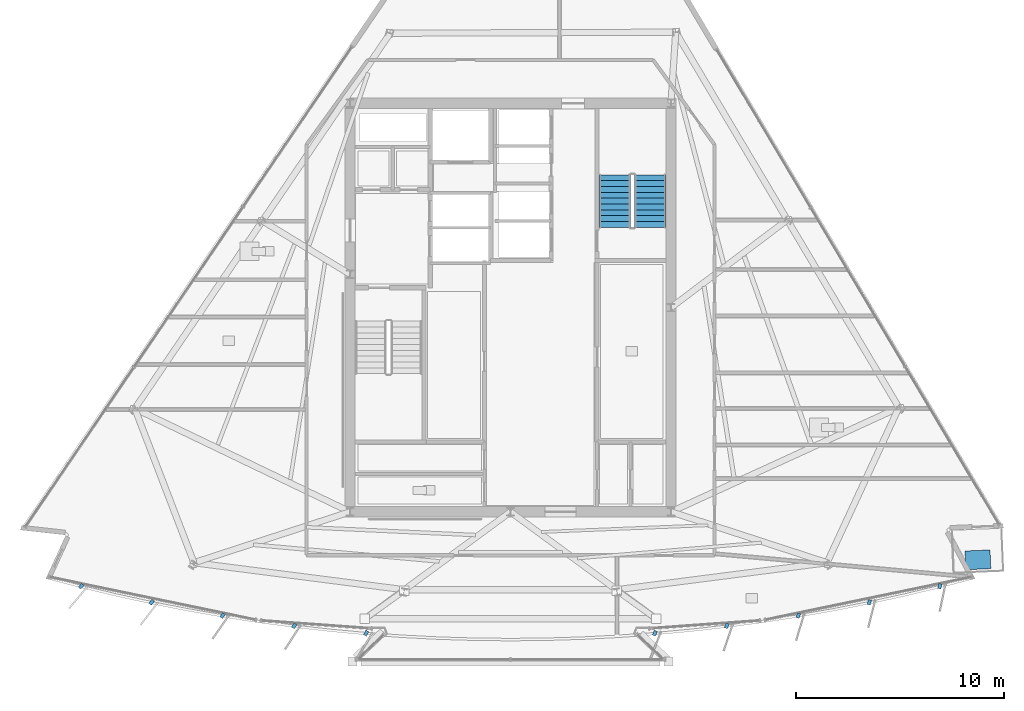
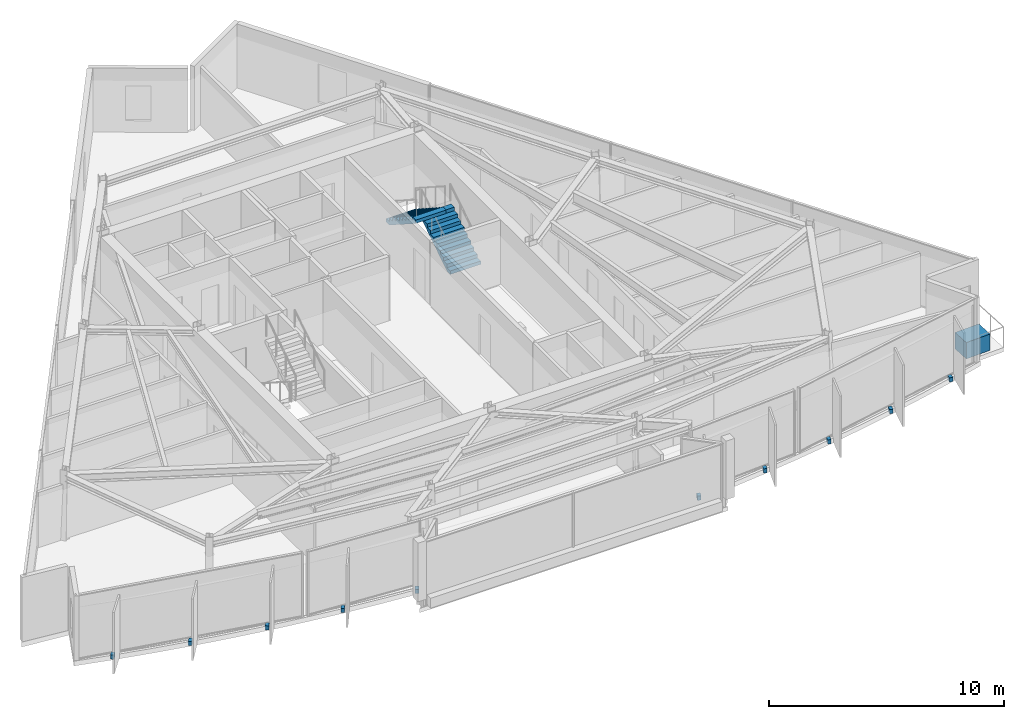
# One storey, part 9 of 13: 11 discrete accessories, 2 stair flights, 1 element without a shape of its own.
"""IFC4 building model written with IfcOpenShell, lengths in metres."""

import ifcopenshell
import ifcopenshell.guid

model = None  # the IFC model being written
_history = None  # IfcOwnerHistory: only IFC2X3 demands one
_inside = {}  # id of a spatial element -> (the spatial element, [elements in it])
_under = {}  # id of a project, library or spatial element -> (it, [spatial elements below it])
_declared = {}  # id of a project -> (the project, [libraries it declares])
_typed = {}  # id of a type object -> (the type object, [elements of that type])
_made_of = {}  # id of a material, layer set ... -> (it, [elements and type objects made of it])


def new_model(schema):
    """Start an empty IFC model of exactly this schema.

    Asked for "IFC4X3", IfcOpenShell would pick the latest addendum, in which some entities
    have other attributes; the version numbers below select the first issue.
    IFC2X3 requires an IfcOwnerHistory on every rooted entity: one is made here for all.
    """
    global model, _history
    if schema == "IFC4X3":
        model = ifcopenshell.file(schema_version=(4, 3, 0, 0))
    else:
        model = ifcopenshell.file(schema=schema)
    _inside.clear()
    _under.clear()
    _declared.clear()
    _typed.clear()
    _made_of.clear()
    _history = None
    if model.schema == "IFC2X3":
        org = make("IfcOrganization", Name="unknown")
        user = make(
            "IfcPersonAndOrganization",
            ThePerson=make("IfcPerson", FamilyName="unknown"),
            TheOrganization=org,
        )
        app = make(
            "IfcApplication",
            ApplicationDeveloper=org,
            Version="unknown",
            ApplicationFullName="unknown",
            ApplicationIdentifier="unknown",
        )
        _history = make(
            "IfcOwnerHistory",
            OwningUser=user,
            OwningApplication=app,
            ChangeAction="ADDED",
            CreationDate=0,
        )
    return model


def make(cls, **values):
    """One entity of the class cls with the attributes given. An attribute that is None is left unset."""
    return model.create_entity(
        cls, **{name: value for name, value in values.items() if value is not None}
    )


def rooted(cls, **values):
    """An entity with a GlobalId (a new one), such as an element, a storey or a relation."""
    return make(cls, GlobalId=ifcopenshell.guid.new(), OwnerHistory=_history, **values)


def si_unit(unit_type, name, prefix=None):
    """IfcSIUnit, for example si_unit("LENGTHUNIT", "METRE", prefix="MILLI")."""
    return make("IfcSIUnit", UnitType=unit_type, Prefix=prefix, Name=name)


def assignment(units):
    """IfcUnitAssignment: the units of a project."""
    return None if units is None else make("IfcUnitAssignment", Units=units)


def point(xyz):
    """IfcCartesianPoint."""
    return None if xyz is None else make("IfcCartesianPoint", Coordinates=xyz)


def direction(xyz):
    """IfcDirection."""
    return None if xyz is None else make("IfcDirection", DirectionRatios=xyz)


def frame(location, z_axis=None, x_axis=None):
    """IfcAxis2Placement3D, a coordinate frame: its origin and axes. An axis left out is left unset."""
    return make(
        "IfcAxis2Placement3D",
        Location=point(location),
        Axis=direction(z_axis),
        RefDirection=direction(x_axis),
    )


def frame_2d(location, x_axis=None):
    """IfcAxis2Placement2D, a coordinate frame in the plane: its origin and x axis."""
    return make(
        "IfcAxis2Placement2D", Location=point(location), RefDirection=direction(x_axis)
    )


def origin():
    """The frame at (0, 0, 0) with its axes left unset."""
    return frame((0.0, 0.0, 0.0))


def origin_2d():
    """The frame at (0, 0) in the plane with its x axis left unset."""
    return frame_2d((0.0, 0.0))


def place(relative_to, where):
    """IfcLocalPlacement: puts the frame where relative to a parent placement (None: the world)."""
    return make(
        "IfcLocalPlacement", PlacementRelTo=relative_to, RelativePlacement=where
    )


def context(
    kind, dimensions, precision=None, world=None, true_north=None, identifier=None
):
    """IfcGeometricRepresentationContext, for example the 3D "Model" context."""
    return make(
        "IfcGeometricRepresentationContext",
        ContextIdentifier=identifier,
        ContextType=kind,
        CoordinateSpaceDimension=dimensions,
        Precision=precision,
        WorldCoordinateSystem=world,
        TrueNorth=true_north,
    )


def subcontext(parent, identifier, kind, view, scale=None):
    """IfcGeometricRepresentationSubContext, for example "Body" below "Model"."""
    return make(
        "IfcGeometricRepresentationSubContext",
        ContextIdentifier=identifier,
        ContextType=kind,
        ParentContext=parent,
        TargetScale=scale,
        TargetView=view,
    )


def project(units=None, contexts=None):
    """IfcProject with its units and contexts."""
    return rooted(
        "IfcProject",
        Name="project",
        RepresentationContexts=contexts,
        UnitsInContext=assignment(units),
    )


def spatial(cls, under=None, at=None, **own):
    """A site, building, storey or space (cls), placed at a placement, below another one or the project."""
    s = rooted(cls, ObjectPlacement=at, **own)
    if under is not None:
        _under.setdefault(under.id(), (under, []))[1].append(s)
    return s


def polyline(points):
    """IfcPolyline through the points."""
    return make("IfcPolyline", Points=[point(p) for p in points])


def profile(cls, at=None, kind="AREA", **sizes):
    """A parametric profile (cls). Its sizes go by their IFC names, for example OverallWidth=200.0."""
    return make(cls, ProfileType=kind, Position=at, **sizes)


def rectangle(**sizes):
    """IfcRectangleProfileDef."""
    return profile("IfcRectangleProfileDef", **sizes)


def outline(outer, holes=None, kind="AREA"):
    """IfcArbitraryClosedProfileDef: a profile drawn as a closed curve; with holes, ...WithVoids."""
    if holes is None:
        return make("IfcArbitraryClosedProfileDef", ProfileType=kind, OuterCurve=outer)
    return make(
        "IfcArbitraryProfileDefWithVoids",
        ProfileType=kind,
        OuterCurve=outer,
        InnerCurves=holes,
    )


def extrude(swept, where, along, depth):
    """IfcExtrudedAreaSolid: the profile swept, set in the frame where, extruded along a direction by depth."""
    return make(
        "IfcExtrudedAreaSolid",
        SweptArea=swept,
        Position=where,
        ExtrudedDirection=direction(along),
        Depth=depth,
    )


def shape(context_of_items, identifier, shape_type, items):
    """IfcShapeRepresentation: the items that make up one representation, for example the "Body"."""
    return make(
        "IfcShapeRepresentation",
        ContextOfItems=context_of_items,
        RepresentationIdentifier=identifier,
        RepresentationType=shape_type,
        Items=items,
    )


def material(Name=None, Category=None):
    """IfcMaterial."""
    return make("IfcMaterial", Name=Name, Category=Category)


def made_of(thing, what):
    """Note that an element or type object is made of a material, layer set ...; save() writes the relation."""
    if what is not None:
        _made_of.setdefault(what.id(), (what, []))[1].append(thing)
    return thing


def type_object(cls, material=None, **own):
    """A type object (cls), such as IfcWallType, which elements share."""
    return made_of(rooted(cls, **own), material)


def element(
    cls,
    number,
    at=None,
    inside=None,
    cuts=None,
    type_object=None,
    material=None,
    context=None,
    identifier="Body",
    shape_type=None,
    held_by="IfcProductDefinitionShape",
    body=None,
    shapes=None,
    **own,
):
    """One element of the class cls, such as IfcWall. Its Tag is "e" and its number.

    at: its placement. inside: the storey or other place that contains it. cuts: it is an
    opening in that element (IfcRelVoidsElement). A single representation is given by context,
    identifier, shape_type and body (its items); several are given by shapes. held_by: the class
    of the entity that holds the representations. save() writes the other relations.
    """
    e = rooted(cls, Tag="e%d" % number, ObjectPlacement=at, **own)
    if body is not None:
        shapes = [shape(context, identifier, shape_type, body)]
    if shapes is not None:
        e.Representation = make(held_by, Representations=shapes)
    if inside is not None:
        _inside.setdefault(inside.id(), (inside, []))[1].append(e)
    if cuts is not None:
        rooted(
            "IfcRelVoidsElement", RelatingBuildingElement=cuts, RelatedOpeningElement=e
        )
    if type_object is not None:
        _typed.setdefault(type_object.id(), (type_object, []))[1].append(e)
    return made_of(e, material)


def aggregate(whole, parts):
    """IfcRelAggregates: a whole, such as a stair, and the parts it consists of."""
    return rooted("IfcRelAggregates", RelatingObject=whole, RelatedObjects=parts)


def save(model, path):
    """Write the relations noted so far, then the file.

    IfcRelAggregates (storeys below a building ...), IfcRelContainedInSpatialStructure (elements
    in a storey), IfcRelDefinesByType, IfcRelAssociatesMaterial and IfcRelDeclares: one each for
    every whole, place, type object, material and project.
    """
    for whole, parts in _under.values():
        aggregate(whole, parts)
    for where, things in _inside.values():
        rooted(
            "IfcRelContainedInSpatialStructure",
            RelatedElements=things,
            RelatingStructure=where,
        )
    for kind, things in _typed.values():
        rooted("IfcRelDefinesByType", RelatedObjects=things, RelatingType=kind)
    for what, things in _made_of.values():
        rooted("IfcRelAssociatesMaterial", RelatedObjects=things, RelatingMaterial=what)
    for by, libraries in _declared.values():
        rooted("IfcRelDeclares", RelatingContext=by, RelatedDefinitions=libraries)
    model.write(path)


model = new_model("IFC4")

# Units and contexts
model_context = context("Model", 3, precision=1e-05, world=origin(), true_north=direction((0.0, 1.0)))
body_context = subcontext(model_context, "Body", "Model", "MODEL_VIEW")
ifc_project = project(units=[si_unit("LENGTHUNIT", "METRE"), si_unit("AREAUNIT", "SQUARE_METRE"), si_unit("VOLUMEUNIT", "CUBIC_METRE"), si_unit("PLANEANGLEUNIT", "RADIAN"), si_unit("MASSUNIT", "GRAM", prefix="KILO")], contexts=[model_context])

# Site, building, storey
site_placement = place(None, origin())
site = spatial("IfcSite", under=ifc_project, at=site_placement, CompositionType="ELEMENT")
building_placement = place(site_placement, origin())
building = spatial("IfcBuilding", under=site, at=building_placement, Name="Savorim Split Tower", CompositionType="ELEMENT")
storey_placement = place(building_placement, frame((0.0, 0.0, 283.199951171875)))
storey = spatial("IfcBuildingStorey", under=building, at=storey_placement, Name="L75", CompositionType="ELEMENT", Elevation=283.199951171875)

# Stair, stair flights
ifc_material_1 = material(Name="Concrete C50/60", Category="concrete")
stair_type = type_object("IfcStairType", Name="STR-DOG-3600", PredefinedType="HALF_TURN_STAIR", material=ifc_material_1)
stair_placement = place(storey_placement, origin())
stair = element("IfcStair", 1, at=stair_placement, inside=storey, type_object=stair_type, Name="L75 Core Protected Exit Stair ST-2", PredefinedType="HALF_TURN_STAIR")
stair_flight_type = type_object("IfcStairFlightType", Name="SFL-DOG-3600", PredefinedType="STRAIGHT", material=ifc_material_1)
stair_flight_1_placement = place(storey_placement, frame((6.699951171875, 4.25, 0.0), z_axis=(0.0, 0.0, 1.0), x_axis=(0.0, 1.0, 0.0)))
stair_flight_1 = element("IfcStairFlight", 2, at=stair_flight_1_placement, type_object=stair_flight_type, Name="ST-2 flight 1", NumberOfRisers=10, NumberOfTreads=9, PredefinedType="STRAIGHT", RiserHeight=0.18, TreadLength=0.28, context=body_context, shape_type="SweptSolid", body=[
    extrude(outline(polyline([(0.0, 0.0), (0.0, 0.179931640625), (0.280029296875, 0.179931640625), (0.280029296875, 0.360107421875), (0.56005859375, 0.360107421875), (0.56005859375, 0.5400390625), (0.840087890625, 0.5400390625), (0.840087890625, 0.719970703125), (1.1201171875, 0.719970703125), (1.1201171875, 0.89990234375), (1.39990234375, 0.89990234375), (1.39990234375, 1.080078125), (1.679931640625, 1.080078125), (1.679931640625, 1.260009765625), (1.9599609375, 1.260009765625), (1.9599609375, 1.43994140625), (2.239990234375, 1.43994140625), (2.239990234375, 1.6201171875), (2.52001953125, 1.6201171875), (2.52001953125, 1.800048828125), (2.52001953125, 1.44189453125), (0.277099609375, 0.0), (0.0, 0.0)])), frame((0.0, 0.75, 0.0), z_axis=(0.0, -1.0, 0.0), x_axis=(1.0, 0.0, 0.0)), (0.0, 0.0, 1.0), 1.5),
])
stair_flight_2_placement = place(storey_placement, frame((5.0, 6.77001953125, 1.800048828125), z_axis=(0.0, 0.0, 1.0), x_axis=(0.0, -1.0, 0.0)))
stair_flight_2 = element("IfcStairFlight", 3, at=stair_flight_2_placement, type_object=stair_flight_type, Name="ST-2 flight 2", NumberOfRisers=10, NumberOfTreads=9, PredefinedType="STRAIGHT", RiserHeight=0.18, TreadLength=0.28, context=body_context, shape_type="SweptSolid", body=[
    extrude(outline(polyline([(0.0, 0.0), (0.0, 0.179931640625), (0.280029296875, 0.179931640625), (0.280029296875, 0.360107421875), (0.56005859375, 0.360107421875), (0.56005859375, 0.5400390625), (0.840087890625, 0.5400390625), (0.840087890625, 0.719970703125), (1.1201171875, 0.719970703125), (1.1201171875, 0.89990234375), (1.39990234375, 0.89990234375), (1.39990234375, 1.080078125), (1.679931640625, 1.080078125), (1.679931640625, 1.260009765625), (1.9599609375, 1.260009765625), (1.9599609375, 1.43994140625), (2.239990234375, 1.43994140625), (2.239990234375, 1.6201171875), (2.52001953125, 1.6201171875), (2.52001953125, 1.800048828125), (2.52001953125, 1.44189453125), (0.277099609375, 0.0), (0.0, 0.0)])), frame((0.0, 0.75, 0.0), z_axis=(0.0, -1.0, 0.0), x_axis=(1.0, 0.0, 0.0)), (0.0, 0.0, 1.0), 1.5),
])
aggregate(stair, [stair_flight_1, stair_flight_2])

# Discrete accessories
ifc_material_2 = material(Name="Steel S355", Category="steel")
discrete_accessory_type_1 = type_object("IfcDiscreteAccessoryType", Name="ACC-BRK-FIN", PredefinedType="BRACKET", material=ifc_material_2)
for number, where, z_axis, x_axis, name in (
    (4, (-20.595703125, -12.967529296875, -0.18994140625), (0.0, 0.0, 1.0), (-0.643719022682, -0.765261928909, 0.0), "L75 Fin Slab-Edge Cleat Bracket 01"),
    (5, (-17.216064453125, -13.7412109375, -0.18994140625), (0.0, 0.0, 1.0), (-0.611868076908, -0.790959832394, 0.0), "L75 Fin Slab-Edge Cleat Bracket 02"),
    (6, (-13.8076171875, -14.376220703125, -0.18994140625), (0.0, 0.0, 1.0), (-0.578993757737, -0.815331974414, 0.0), "L75 Fin Slab-Edge Cleat Bracket 03"),
    (7, (-10.3759765625, -14.87109375, -0.18994140625), (0.0, 0.0, 1.0), (-0.545148321708, -0.838339613366, 0.0), "L75 Fin Slab-Edge Cleat Bracket 04"),
    (8, (-6.927001953125, -15.225341796875, -0.18994140625), (0.0, 0.0, 1.0), (-0.510391336723, -0.859942255851, 0.0), "L75 Fin Slab-Edge Cleat Bracket 05"),
    (9, (6.927001953125, -15.225341796875, -0.18994140625), (0.0, 0.0, 1.0), (-0.363415461732, -0.931627179817, 0.0), "L75 Fin Slab-Edge Cleat Bracket 09"),
    (10, (10.3759765625, -14.87109375, -0.18994140625), (0.0, 0.0, 1.0), (-0.324993810493, -0.945716143005, 0.0), "L75 Fin Slab-Edge Cleat Bracket 10"),
    (11, (13.8076171875, -14.376220703125, -0.18994140625), (0.0, 0.0, 1.0), (-0.286026212504, -0.958221793616, 0.0), "L75 Fin Slab-Edge Cleat Bracket 11"),
    (12, (17.216064453125, -13.7412109375, -0.18994140625), (0.0, 0.0, 1.0), (-0.246581250663, -0.969122121727, 0.0), "L75 Fin Slab-Edge Cleat Bracket 12"),
    (13, (20.595703125, -12.967529296875, -0.18994140625), (0.0, 0.0, 1.0), (-0.206721626106, -0.978399800337, 0.0), "L75 Fin Slab-Edge Cleat Bracket 13"),
):
    element("IfcDiscreteAccessory", number, at=place(storey_placement, frame(where, z_axis=z_axis, x_axis=x_axis)), inside=storey, type_object=discrete_accessory_type_1, Name=name, PredefinedType="BRACKET", context=body_context, shape_type="SweptSolid", body=[
        extrude(rectangle(XDim=0.239990234375, YDim=0.159912109375, at=origin_2d()), origin(), (0.0, 0.0, 1.0), 0.219970703125),
    ])
ifc_material_3 = material(Name="Architectural Precast Planter Concrete C40/50", Category="concrete")
discrete_accessory_type_2 = type_object("IfcDiscreteAccessoryType", Name="ACC-PLN-TREE", PredefinedType="USERDEFINED", material=ifc_material_3)
discrete_accessory_placement = place(storey_placement, frame((22.425537109375, -11.701416015625, 0.0), z_axis=(0.0, 0.0, 1.0), x_axis=(0.999095950682, 0.042512131569, 0.0)))
element("IfcDiscreteAccessory", 14, at=discrete_accessory_placement, inside=storey, type_object=discrete_accessory_type_2, Name="L75 Balcony Precast Tree Planter SE", ObjectType="PLANTER", PredefinedType="USERDEFINED", context=body_context, shape_type="SweptSolid", body=[
    extrude(rectangle(XDim=1.199951171875, YDim=0.89990234375, at=origin_2d()), origin(), (0.0, 0.0, 1.0), 0.85009765625),
])

save(model, "model.ifc")
